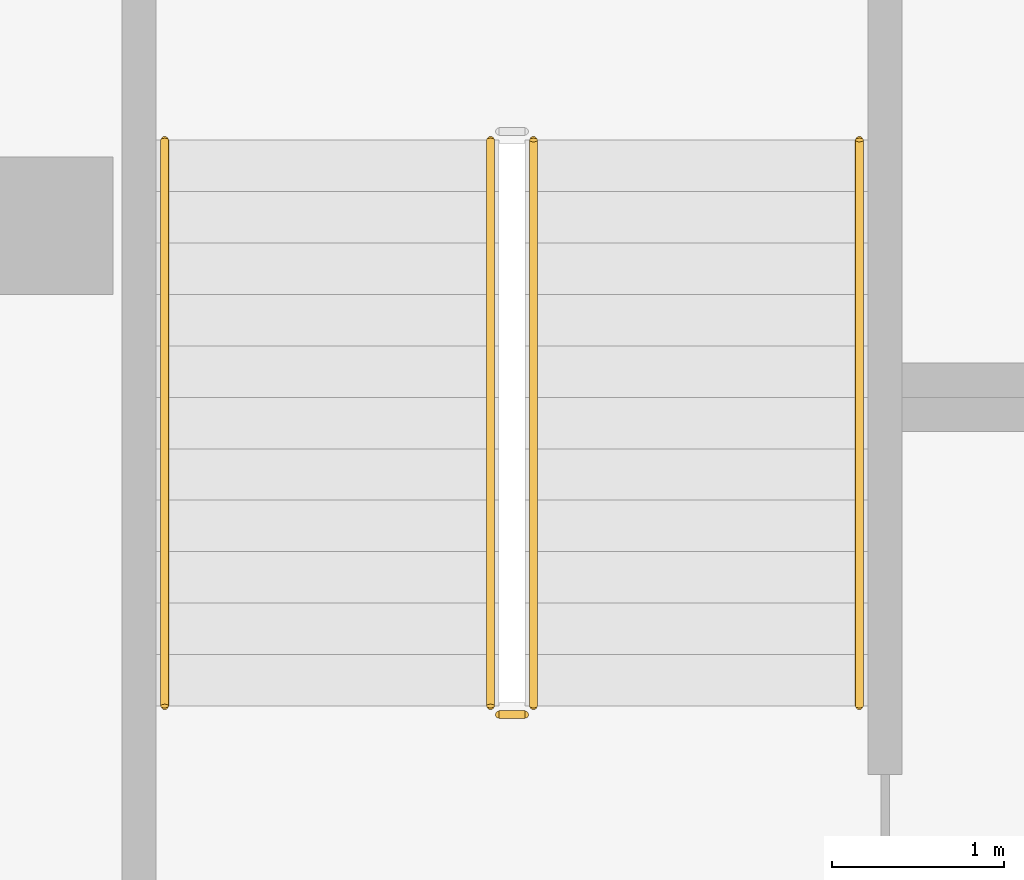
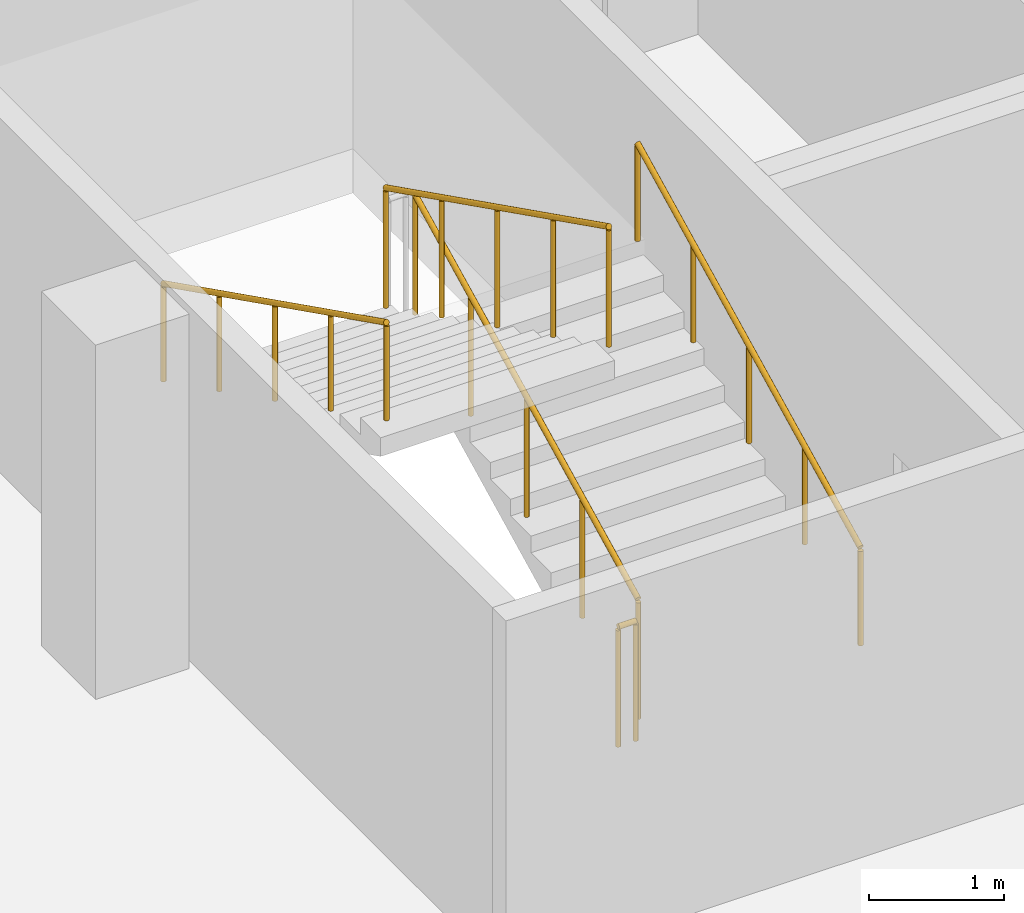
# One storey, part 22 of 37: 5 railings.
"""IFC4 building model written with IfcOpenShell, lengths in metres."""

from ifc_helpers import new_model, si_unit, direction, frame, origin, origin_2d, place, context, subcontext, project, spatial, circle, extrude, material, type_object, element, save


model = new_model("IFC4")

# Units and contexts
model_context = context("Model", 3, precision=1e-05, world=origin(), true_north=direction((0.0, 1.0)))
body_context = subcontext(model_context, "Body", "Model", "MODEL_VIEW")
ifc_project = project(units=[si_unit("LENGTHUNIT", "METRE"), si_unit("AREAUNIT", "SQUARE_METRE"), si_unit("VOLUMEUNIT", "CUBIC_METRE"), si_unit("PLANEANGLEUNIT", "RADIAN"), si_unit("MASSUNIT", "GRAM", prefix="KILO")], contexts=[model_context])

# Site, building, storey
site_placement = place(None, origin())
site = spatial("IfcSite", under=ifc_project, at=site_placement, CompositionType="ELEMENT")
building_placement = place(site_placement, origin())
building = spatial("IfcBuilding", under=site, at=building_placement, Name="Tamra Quay Hotel Tower", CompositionType="ELEMENT")
storey_placement = place(building_placement, frame((0.0, 0.0, -7.199951171875)))
storey = spatial("IfcBuildingStorey", under=building, at=storey_placement, Name="B2", CompositionType="ELEMENT", Elevation=-7.199951171875)

# Railings
ifc_material_1 = material(Name="Basement stair guard 1100")
railing_type_1 = type_object("IfcRailingType", Name="Basement stair guard 1100", PredefinedType="GUARDRAIL", material=ifc_material_1)
railing_1_placement = place(storey_placement, frame((-52.64990234375, -50.800048828125, 0.14990234375)))
element("IfcRailing", 1, at=railing_1_placement, inside=storey, type_object=railing_type_1, Name="BSG", PredefinedType="GUARDRAIL", context=body_context, shape_type="SweptSolid", body=[
    extrude(circle(Radius=0.02392578125, at=origin_2d()), frame((0.0, 0.0, 1.076171875), z_axis=(0.0, 0.894413956696, 0.447240063129), x_axis=(-1.0, 0.0, 0.0)), (0.0, 0.0, 1.0), 3.689697265625),
    extrude(circle(Radius=0.02099609375, at=origin_2d()), origin(), (0.0, 0.0, 1.0), 1.052001953125),
    extrude(circle(Radius=0.02099609375, at=origin_2d()), frame((0.0, 0.824951171875, 0.41259765625)), (0.0, 0.0, 1.0), 1.052001953125),
    extrude(circle(Radius=0.02099609375, at=origin_2d()), frame((0.0, 1.64990234375, 0.8251953125)), (0.0, 0.0, 1.0), 1.052001953125),
    extrude(circle(Radius=0.02099609375, at=origin_2d()), frame((0.0, 2.47509765625, 1.237548828125)), (0.0, 0.0, 1.0), 1.052001953125),
    extrude(circle(Radius=0.02099609375, at=origin_2d()), frame((0.0, 3.300048828125, 1.650146484375)), (0.0, 0.0, 1.0), 1.052001953125),
])
railing_2_placement = place(storey_placement, frame((-52.89990234375, -47.5, 1.949951171875)))
element("IfcRailing", 2, at=railing_2_placement, inside=storey, type_object=railing_type_1, Name="BSG", PredefinedType="GUARDRAIL", context=body_context, shape_type="SweptSolid", body=[
    extrude(circle(Radius=0.02392578125, at=origin_2d()), frame((0.0, 0.0, 1.076171875), z_axis=(0.0, -0.894440424912, 0.447187126696), x_axis=(1.0, 0.0, 0.0)), (0.0, 0.0, 1.0), 3.689453125),
    extrude(circle(Radius=0.02099609375, at=origin_2d()), origin(), (0.0, 0.0, 1.0), 1.052001953125),
    extrude(circle(Radius=0.02099609375, at=origin_2d()), frame((0.0, -0.824951171875, 0.41259765625)), (0.0, 0.0, 1.0), 1.052001953125),
    extrude(circle(Radius=0.02099609375, at=origin_2d()), frame((0.0, -1.64990234375, 0.824951171875)), (0.0, 0.0, 1.0), 1.052001953125),
    extrude(circle(Radius=0.02099609375, at=origin_2d()), frame((0.0, -2.47509765625, 1.2373046875)), (0.0, 0.0, 1.0), 1.052001953125),
    extrude(circle(Radius=0.02099609375, at=origin_2d()), frame((0.0, -3.300048828125, 1.64990234375)), (0.0, 0.0, 1.0), 1.052001953125),
])
railing_3_placement = place(storey_placement, frame((-52.699951171875, -50.85009765625, 0.0)))
element("IfcRailing", 3, at=railing_3_placement, inside=storey, type_object=railing_type_1, Name="BSG", PredefinedType="GUARDRAIL", context=body_context, shape_type="SweptSolid", body=[
    extrude(circle(Radius=0.02392578125, at=origin_2d()), frame((0.0, 0.0, 1.076171875), z_axis=(-1.0, 0.0, 0.0), x_axis=(0.0, -1.0, 0.0)), (0.0, 0.0, 1.0), 0.150146484375),
    extrude(circle(Radius=0.02099609375, at=origin_2d()), origin(), (0.0, 0.0, 1.0), 1.052001953125),
    extrude(circle(Radius=0.02099609375, at=origin_2d()), frame((-0.150146484375, 0.0, 0.0)), (0.0, 0.0, 1.0), 1.052001953125),
])
ifc_material_2 = material(Name="Basement stair handrail 900")
railing_type_2 = type_object("IfcRailingType", Name="Basement stair handrail 900", PredefinedType="HANDRAIL", material=ifc_material_2)
railing_4_placement = place(storey_placement, frame((-50.75, -50.800048828125, 0.14990234375)))
element("IfcRailing", 4, at=railing_4_placement, inside=storey, type_object=railing_type_2, Name="BSH", PredefinedType="HANDRAIL", context=body_context, shape_type="SweptSolid", body=[
    extrude(circle(Radius=0.02392578125, at=origin_2d()), frame((0.0, 0.0, 0.8759765625), z_axis=(0.0, 0.894413956696, 0.447240063129), x_axis=(-1.0, 0.0, 0.0)), (0.0, 0.0, 1.0), 3.689697265625),
    extrude(circle(Radius=0.02099609375, at=origin_2d()), origin(), (0.0, 0.0, 1.0), 0.851806640625),
    extrude(circle(Radius=0.02099609375, at=origin_2d()), frame((0.0, 0.824951171875, 0.41259765625)), (0.0, 0.0, 1.0), 0.851806640625),
    extrude(circle(Radius=0.02099609375, at=origin_2d()), frame((0.0, 1.64990234375, 0.8251953125)), (0.0, 0.0, 1.0), 0.851806640625),
    extrude(circle(Radius=0.02099609375, at=origin_2d()), frame((0.0, 2.47509765625, 1.237548828125)), (0.0, 0.0, 1.0), 0.851806640625),
    extrude(circle(Radius=0.02099609375, at=origin_2d()), frame((0.0, 3.300048828125, 1.650146484375)), (0.0, 0.0, 1.0), 0.851806640625),
])
railing_5_placement = place(storey_placement, frame((-54.800048828125, -47.5, 1.949951171875)))
element("IfcRailing", 5, at=railing_5_placement, inside=storey, type_object=railing_type_2, Name="BSH", PredefinedType="HANDRAIL", context=body_context, shape_type="SweptSolid", body=[
    extrude(circle(Radius=0.02392578125, at=origin_2d()), frame((0.0, 0.0, 0.8759765625), z_axis=(0.0, -0.894440424912, 0.447187126696), x_axis=(1.0, 0.0, 0.0)), (0.0, 0.0, 1.0), 3.689453125),
    extrude(circle(Radius=0.02099609375, at=origin_2d()), origin(), (0.0, 0.0, 1.0), 0.851806640625),
    extrude(circle(Radius=0.02099609375, at=origin_2d()), frame((0.0, -0.824951171875, 0.41259765625)), (0.0, 0.0, 1.0), 0.851806640625),
    extrude(circle(Radius=0.02099609375, at=origin_2d()), frame((0.0, -1.64990234375, 0.824951171875)), (0.0, 0.0, 1.0), 0.851806640625),
    extrude(circle(Radius=0.02099609375, at=origin_2d()), frame((0.0, -2.47509765625, 1.2373046875)), (0.0, 0.0, 1.0), 0.851806640625),
    extrude(circle(Radius=0.02099609375, at=origin_2d()), frame((0.0, -3.300048828125, 1.64990234375)), (0.0, 0.0, 1.0), 0.851806640625),
])

save(model, "model.ifc")
